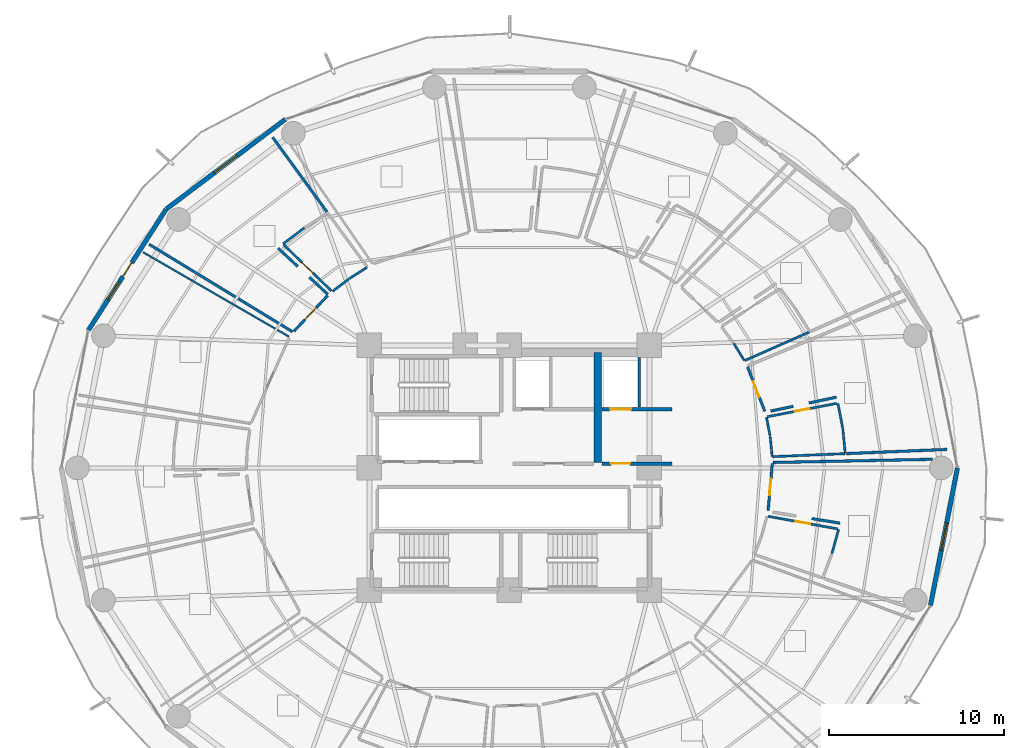
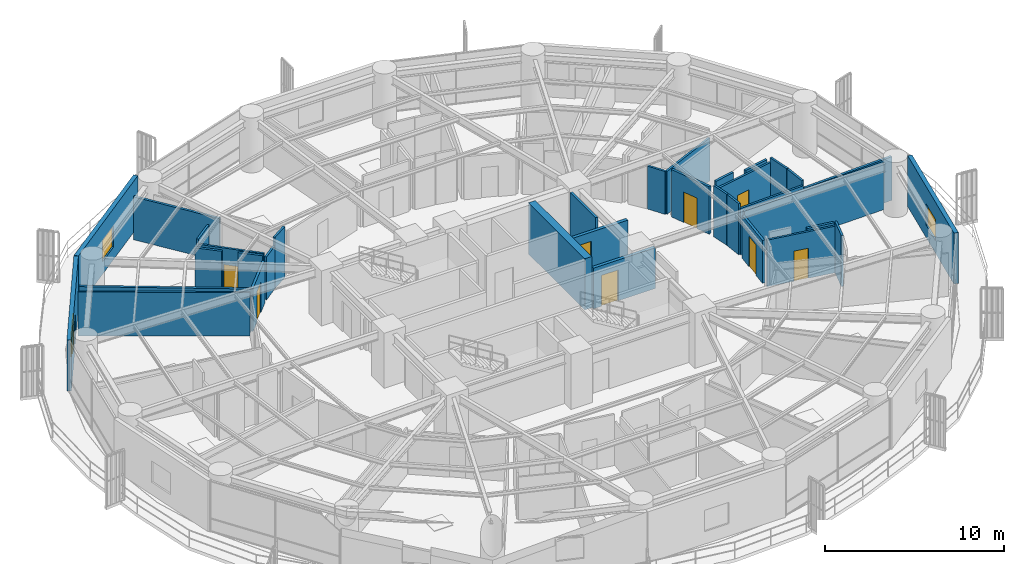
# One storey, part 29 of 35: 34 walls, 9 doors, 3 windows, 12 openings.
"""IFC4 building model written with IfcOpenShell, lengths in metres."""

from ifc_helpers import new_model, si_unit, direction, frame, frame_2d, origin, place, context, subcontext, project, spatial, rectangle, extrude, material, layer, layer_set, type_object, element, fill, save


model = new_model("IFC4")

# Units and contexts
model_context = context("Model", 3, precision=1e-05, world=origin(), true_north=direction((0.0, 1.0)))
body_context = subcontext(model_context, "Body", "Model", "MODEL_VIEW")
ifc_project = project(units=[si_unit("LENGTHUNIT", "METRE"), si_unit("AREAUNIT", "SQUARE_METRE"), si_unit("VOLUMEUNIT", "CUBIC_METRE"), si_unit("PLANEANGLEUNIT", "RADIAN"), si_unit("MASSUNIT", "GRAM", prefix="KILO")], contexts=[model_context])

# Site, building, storey
site_placement = place(None, origin())
site = spatial("IfcSite", under=ifc_project, at=site_placement, CompositionType="ELEMENT")
building_placement = place(site_placement, origin())
building = spatial("IfcBuilding", under=site, at=building_placement, Name="Kelanora Arch Commons", CompositionType="ELEMENT")
storey_placement = place(building_placement, frame((0.0, 0.0, 91.35009765625)))
storey = spatial("IfcBuildingStorey", under=building, at=storey_placement, Name="L23", CompositionType="ELEMENT", Elevation=91.35009765625)

# Wall
ifc_material_1 = material(Name="Autoclaved aerated concrete blockwork with fire plaster", Category="masonry")
ifc_layer_1 = layer(ifc_material_1, 0.14990234375)
ifc_layer_set_1 = layer_set([ifc_layer_1], Name="Autoclaved aerated concrete blockwork with fire plaster")
wall_type_1 = type_object("IfcWallType", Name="W-COMP-150", PredefinedType="PARTITIONING", material=ifc_layer_set_1)
wall_1_placement = place(storey_placement, frame((81.419921875, 61.47998046875, 0.0), z_axis=(0.0, 0.0, 1.0), x_axis=(0.0, 1.0, 0.0)))
element("IfcWall", 1, at=wall_1_placement, inside=storey, type_object=wall_type_1, Name="Firefighting Lift 2 East Shaft Wall L23", PredefinedType="PARTITIONING", context=body_context, shape_type="SweptSolid", body=[
    extrude(rectangle(XDim=2.840087890625, YDim=0.14990234375, at=frame_2d((1.419921875, 0.0))), origin(), (0.0, 0.0, 1.0), 3.47998046875),
])

# Wall, opening, door
wall_2_placement = place(storey_placement, frame((63.61376953125, 67.844482421875, 0.0), z_axis=(0.0, 0.0, 1.0), x_axis=(-0.68683784084, -0.726810690889, 0.0)))
wall_2 = element("IfcWall", 2, at=wall_2_placement, inside=storey, type_object=wall_type_1, Name="Co-Living Studio L23-05 Entry Partition", PredefinedType="PARTITIONING", context=body_context, shape_type="SweptSolid", body=[
    extrude(rectangle(XDim=2.8095703125, YDim=0.14990234375, at=frame_2d((1.40478515625, 0.0))), origin(), (0.0, 0.0, 1.0), 2.9248046875),
])
opening_1_placement = place(wall_2_placement, frame((0.929931640625, 0.0, 0.0)))
opening_1 = element("IfcOpeningElement", 3, at=opening_1_placement, cuts=wall_2, Name="Opening D-CLU1", PredefinedType="OPENING", context=body_context, shape_type="SweptSolid", body=[
    extrude(rectangle(XDim=0.949951171875, YDim=2.080078125, at=frame_2d((0.47509765625, 1.0400390625))), frame((0.0, 0.0849609375, 0.0), z_axis=(0.0, -1.0, 0.0), x_axis=(1.0, 0.0, 0.0)), (0.0, 0.0, 1.0), 0.169921875),
])
ifc_material_2 = material(Name="Solid-core acoustic timber cluster entry fire door", Category="wood")
door_type_1 = type_object("IfcDoorType", Name="D-CLU-95", OperationType="NOTDEFINED", PredefinedType="DOOR", material=ifc_material_2)
door_1_placement = place(opening_1_placement, origin())
door_1 = element("IfcDoor", 4, at=door_1_placement, inside=storey, type_object=door_type_1, Name="Co-Living Studio L23-05 Door", OperationType="SINGLE_SWING_RIGHT", OverallHeight=2.080078125, OverallWidth=0.949951171875, PredefinedType="DOOR", context=body_context, shape_type="SweptSolid", body=[
    extrude(rectangle(XDim=0.949951171875, YDim=2.080078125, at=frame_2d((0.47509765625, 1.0400390625))), frame((0.0, 0.02490234375, 0.0), z_axis=(0.0, -1.0, 0.0), x_axis=(1.0, 0.0, 0.0)), (0.0, 0.0, 1.0), 0.050048828125),
])
fill(opening_1, door_1)

wall_3_placement = place(storey_placement, frame((88.783203125, 55.57470703125, 0.0), z_axis=(0.0, 0.0, 1.0), x_axis=(0.088469625327, 0.996078875087, 0.0)))
wall_3 = element("IfcWall", 5, at=wall_3_placement, inside=storey, type_object=wall_type_1, Name="Co-Living Studio L23-14 Entry Partition", PredefinedType="PARTITIONING", context=body_context, shape_type="SweptSolid", body=[
    extrude(rectangle(XDim=2.68505859375, YDim=0.14990234375, at=frame_2d((1.342529296875, 0.0))), origin(), (0.0, 0.0, 1.0), 2.9248046875),
])
opening_2_placement = place(wall_3_placement, frame((0.866943359375, 0.0, 0.0)))
opening_2 = element("IfcOpeningElement", 6, at=opening_2_placement, cuts=wall_3, Name="Opening D-CLU1", PredefinedType="OPENING", context=body_context, shape_type="SweptSolid", body=[
    extrude(rectangle(XDim=0.949951171875, YDim=2.080078125, at=frame_2d((0.47509765625, 1.0400390625))), frame((0.0, 0.0849609375, 0.0), z_axis=(0.0, -1.0, 0.0), x_axis=(1.0, 0.0, 0.0)), (0.0, 0.0, 1.0), 0.169921875),
])
door_2_placement = place(opening_2_placement, origin())
door_2 = element("IfcDoor", 7, at=door_2_placement, inside=storey, type_object=door_type_1, Name="Co-Living Studio L23-14 Door", OperationType="SINGLE_SWING_LEFT", OverallHeight=2.080078125, OverallWidth=0.949951171875, PredefinedType="DOOR", context=body_context, shape_type="SweptSolid", body=[
    extrude(rectangle(XDim=0.949951171875, YDim=2.080078125, at=frame_2d((0.47509765625, 1.0400390625))), frame((0.0, 0.02490234375, 0.0), z_axis=(0.0, -1.0, 0.0), x_axis=(1.0, 0.0, 0.0)), (0.0, 0.0, 1.0), 0.050048828125),
])
fill(opening_2, door_2)

wall_4_placement = place(storey_placement, frame((88.59326171875, 61.23583984375, 0.0), z_axis=(0.0, 0.0, 1.0), x_axis=(-0.361969309841, 0.93219001214, 0.0)))
wall_4 = element("IfcWall", 8, at=wall_4_placement, inside=storey, type_object=wall_type_1, Name="Co-Living Studio L23-15 Entry Partition", PredefinedType="PARTITIONING", context=body_context, shape_type="SweptSolid", body=[
    extrude(rectangle(XDim=2.717529296875, YDim=0.14990234375, at=frame_2d((1.35888671875, 0.0))), origin(), (0.0, 0.0, 1.0), 3.23486328125),
])
opening_3_placement = place(wall_4_placement, frame((0.884033203125, 0.0, 0.0)))
opening_3 = element("IfcOpeningElement", 9, at=opening_3_placement, cuts=wall_4, Name="Opening D-CLU1", PredefinedType="OPENING", context=body_context, shape_type="SweptSolid", body=[
    extrude(rectangle(XDim=0.949951171875, YDim=2.080078125, at=frame_2d((0.47509765625, 1.0400390625))), frame((0.0, 0.0849609375, 0.0), z_axis=(0.0, -1.0, 0.0), x_axis=(1.0, 0.0, 0.0)), (0.0, 0.0, 1.0), 0.169921875),
])
door_3_placement = place(opening_3_placement, origin())
door_3 = element("IfcDoor", 10, at=door_3_placement, inside=storey, type_object=door_type_1, Name="Co-Living Studio L23-15 Door", OperationType="SINGLE_SWING_LEFT", OverallHeight=2.080078125, OverallWidth=0.949951171875, PredefinedType="DOOR", context=body_context, shape_type="SweptSolid", body=[
    extrude(rectangle(XDim=0.949951171875, YDim=2.080078125, at=frame_2d((0.47509765625, 1.0400390625))), frame((0.0, 0.02490234375, 0.0), z_axis=(0.0, -1.0, 0.0), x_axis=(1.0, 0.0, 0.0)), (0.0, 0.0, 1.0), 0.050048828125),
])
fill(opening_3, door_3)

# Walls
wall_5_placement = place(storey_placement, frame((61.60888671875, 65.77978515625, 0.0), z_axis=(0.0, 0.0, 1.0), x_axis=(-0.853785143599, 0.520625516634, 0.0)))
element("IfcWall", 11, at=wall_5_placement, inside=storey, type_object=wall_type_1, Name="Co-Living Studio L23-05 Enclosure Partition 2", PredefinedType="PARTITIONING", context=body_context, shape_type="SweptSolid", body=[
    extrude(rectangle(XDim=9.5966796875, YDim=0.14990234375, at=frame_2d((4.79833984375, 0.0))), origin(), (0.0, 0.0, 1.0), 2.974853515625),
])
wall_6_placement = place(storey_placement, frame((60.474609375, 76.884765625, 0.0), z_axis=(0.0, 0.0, 1.0), x_axis=(0.589128007392, -0.808039721119, 0.0)))
element("IfcWall", 12, at=wall_6_placement, inside=storey, type_object=wall_type_1, Name="Co-Living Studio L23-05 Enclosure Partition 5", PredefinedType="PARTITIONING", context=body_context, shape_type="SweptSolid", body=[
    extrude(rectangle(XDim=5.26513671875, YDim=0.14990234375, at=frame_2d((2.632568359375, 0.0))), origin(), (0.0, 0.0, 1.0), 2.9248046875),
])
wall_7_placement = place(storey_placement, frame((60.779296875, 70.556884765625, 0.0), z_axis=(0.0, 0.0, 1.0), x_axis=(0.732929378099, -0.680304730778, 0.0)))
element("IfcWall", 13, at=wall_7_placement, inside=storey, type_object=wall_type_1, Name="Co-Living Studio L23-05 Enclosure Partition 7", PredefinedType="PARTITIONING", context=body_context, shape_type="SweptSolid", body=[
    extrude(rectangle(XDim=1.53564453125, YDim=0.14990234375, at=frame_2d((0.767822265625, 0.0))), origin(), (0.0, 0.0, 1.0), 3.1748046875),
])
wall_8_placement = place(storey_placement, frame((62.579345703125, 68.88623046875, 0.0), z_axis=(0.0, 0.0, 1.0), x_axis=(0.733037104662, -0.680188652646, 0.0)))
element("IfcWall", 14, at=wall_8_placement, inside=storey, type_object=wall_type_1, Name="Co-Living Studio L23-05 Enclosure Partition 7", PredefinedType="PARTITIONING", context=body_context, shape_type="SweptSolid", body=[
    extrude(rectangle(XDim=1.427490234375, YDim=0.14990234375, at=frame_2d((0.7138671875, 0.0))), origin(), (0.0, 0.0, 1.0), 3.23486328125),
])
wall_9_placement = place(storey_placement, frame((89.06591796875, 58.309814453125, 0.0), z_axis=(0.0, 0.0, 1.0), x_axis=(0.999799952906, 0.020001354173, 0.0)))
element("IfcWall", 15, at=wall_9_placement, inside=storey, type_object=wall_type_1, Name="Co-Living Studio L23-14 Enclosure Partition 2", PredefinedType="PARTITIONING", context=body_context, shape_type="SweptSolid", body=[
    extrude(rectangle(XDim=9.117919921875, YDim=0.14990234375, at=frame_2d((4.55908203125, 0.0))), origin(), (0.0, 0.0, 1.0), 3.1748046875),
])
wall_10_placement = place(storey_placement, frame((92.888427734375, 54.843505859375, 0.0), z_axis=(0.0, 0.0, 1.0), x_axis=(-0.986922201966, 0.161197292988, 0.0)))
element("IfcWall", 16, at=wall_10_placement, inside=storey, type_object=wall_type_1, Name="Co-Living Studio L23-14 Enclosure Partition 7", PredefinedType="PARTITIONING", context=body_context, shape_type="SweptSolid", body=[
    extrude(rectangle(XDim=1.632568359375, YDim=0.14990234375, at=frame_2d((0.81640625, 0.0))), origin(), (0.0, 0.0, 1.0), 3.1748046875),
])
wall_11_placement = place(storey_placement, frame((99.011962890625, 59.057373046875, 0.0), z_axis=(0.0, 0.0, 1.0), x_axis=(-0.999136530054, -0.041547494638, 0.0)))
element("IfcWall", 17, at=wall_11_placement, inside=storey, type_object=wall_type_1, Name="Co-Living Studio L23-15 Enclosure Partition 5", PredefinedType="PARTITIONING", context=body_context, shape_type="SweptSolid", body=[
    extrude(rectangle(XDim=5.746826171875, YDim=0.14990234375, at=frame_2d((2.87353515625, 0.0))), origin(), (0.0, 0.0, 1.0), 2.974853515625),
])
wall_12_placement = place(storey_placement, frame((92.680908203125, 62.039794921875, 0.0), z_axis=(0.0, 0.0, 1.0), x_axis=(-0.978359809994, -0.206910807327, 0.0)))
element("IfcWall", 18, at=wall_12_placement, inside=storey, type_object=wall_type_1, Name="Co-Living Studio L23-15 Enclosure Partition 7", PredefinedType="PARTITIONING", context=body_context, shape_type="SweptSolid", body=[
    extrude(rectangle(XDim=1.598876953125, YDim=0.14990234375, at=frame_2d((0.79931640625, 0.0))), origin(), (0.0, 0.0, 1.0), 3.1748046875),
])
wall_13_placement = place(storey_placement, frame((90.21630859375, 61.5185546875, 0.0), z_axis=(0.0, 0.0, 1.0), x_axis=(-0.978356212177, -0.206927818562, 0.0)))
element("IfcWall", 19, at=wall_13_placement, inside=storey, type_object=wall_type_1, Name="Co-Living Studio L23-15 Enclosure Partition 7", PredefinedType="PARTITIONING", context=body_context, shape_type="SweptSolid", body=[
    extrude(rectangle(XDim=1.314453125, YDim=0.14990234375, at=frame_2d((0.6572265625, 0.0))), origin(), (0.0, 0.0, 1.0), 3.47998046875),
])
ifc_material_3 = material(Name="Concrete C60/75", Category="concrete")
ifc_layer_2 = layer(ifc_material_3, 0.449951171875)
ifc_layer_set_2 = layer_set([ifc_layer_2], Name="Concrete C60/75")
wall_type_2 = type_object("IfcWallType", Name="W-CORE-450", PredefinedType="SHEAR", material=ifc_layer_set_2)
wall_14_placement = place(storey_placement, frame((79.050048828125, 58.300048828125, 0.0), z_axis=(0.0, 0.0, 1.0), x_axis=(0.0, 1.0, 0.0)))
element("IfcWall", 20, at=wall_14_placement, inside=storey, type_object=wall_type_2, Name="Core Shear Spine L23-CE-N", PredefinedType="SHEAR", context=body_context, shape_type="SweptSolid", body=[
    extrude(rectangle(XDim=6.300048828125, YDim=0.449951171875, at=frame_2d((3.14990234375, 0.0))), origin(), (0.0, 0.0, 1.0), 3.489990234375),
])

# Wall, opening, window
ifc_material_4 = material(Name="Precast concrete C40/50 with terracotta rainscreen", Category="masonry")
ifc_layer_3 = layer(ifc_material_4, 0.260009765625)
ifc_layer_set_3 = layer_set([ifc_layer_3], Name="Precast concrete C40/50 with terracotta rainscreen")
wall_type_3 = type_object("IfcWallType", Name="W-EXT-TC", PredefinedType="SOLIDWALL", material=ifc_layer_set_3)
wall_15_placement = place(storey_placement, frame((61.18798828125, 77.90966796875, 0.0), z_axis=(0.0, 0.0, 1.0), x_axis=(-0.798501507879, -0.601992808857, 0.0)))
wall_15 = element("IfcWall", 21, at=wall_15_placement, inside=storey, type_object=wall_type_3, Name="Terracotta Exterior Wall L23-B06", PredefinedType="SOLIDWALL", context=body_context, shape_type="SweptSolid", body=[
    extrude(rectangle(XDim=8.499267578125, YDim=0.260009765625, at=frame_2d((4.24951171875, 0.0))), origin(), (0.0, 0.0, 1.0), 3.474853515625),
])
opening_4_placement = place(wall_15_placement, frame((3.449951171875, 0.0, 0.85009765625)))
opening_4 = element("IfcOpeningElement", 22, at=opening_4_placement, cuts=wall_15, Name="Opening WN-01", PredefinedType="OPENING", context=body_context, shape_type="SweptSolid", body=[
    extrude(rectangle(XDim=1.60009765625, YDim=1.449951171875, at=frame_2d((0.800048828125, 0.72509765625))), frame((0.0, 0.14013671875, 0.0), z_axis=(0.0, -1.0, 0.0), x_axis=(1.0, 0.0, 0.0)), (0.0, 0.0, 1.0), 0.280029296875),
])
ifc_material_5 = material(Name="Terracotta-anodised aluminium frame with operable low-E glazing", Category="masonry")
window_type_1 = type_object("IfcWindowType", Name="WIN-CL-18", PartitioningType="DOUBLE_PANEL_VERTICAL", PredefinedType="WINDOW", material=ifc_material_5)
window_1_placement = place(opening_4_placement, origin())
window_1 = element("IfcWindow", 23, at=window_1_placement, inside=storey, type_object=window_type_1, Name="Co-Living Operable Window L23-B06", OverallHeight=1.449951171875, OverallWidth=1.60009765625, PartitioningType="SINGLE_PANEL", PredefinedType="WINDOW", context=body_context, shape_type="SweptSolid", body=[
    extrude(rectangle(XDim=1.60009765625, YDim=1.449951171875, at=frame_2d((0.800048828125, 0.72509765625))), frame((0.0, 0.030029296875, 0.0), z_axis=(0.0, -1.0, 0.0), x_axis=(1.0, 0.0, 0.0)), (0.0, 0.0, 1.0), 0.06005859375),
])
fill(opening_4, window_1)

# Wall, openings, door, window
wall_16_placement = place(storey_placement, frame((54.381103515625, 72.771484375, 0.0), z_axis=(0.0, 0.0, 1.0), x_axis=(-0.540620528459, -0.841266571432, 0.0)))
wall_16 = element("IfcWall", 24, at=wall_16_placement, inside=storey, type_object=wall_type_3, Name="Terracotta Exterior Wall L23-B07", PredefinedType="SOLIDWALL", context=body_context, shape_type="SweptSolid", body=[
    extrude(rectangle(XDim=8.19287109375, YDim=0.260009765625, at=frame_2d((4.096435546875, 0.0))), origin(), (0.0, 0.0, 1.0), 3.474853515625),
])
opening_5_placement = place(wall_16_placement, frame((3.62109375, 0.0, 0.0)))
opening_5 = element("IfcOpeningElement", 25, at=opening_5_placement, cuts=wall_16, Name="Opening DB-01", PredefinedType="OPENING", context=body_context, shape_type="SweptSolid", body=[
    extrude(rectangle(XDim=0.949951171875, YDim=2.10009765625, at=frame_2d((0.47509765625, 1.050048828125))), frame((0.0, 0.14013671875, 0.0), z_axis=(0.0, -1.0, 0.0), x_axis=(1.0, 0.0, 0.0)), (0.0, 0.0, 1.0), 0.280029296875),
])
opening_6_placement = place(wall_16_placement, frame((4.9208984375, 0.0, 0.85009765625)))
opening_6 = element("IfcOpeningElement", 26, at=opening_6_placement, cuts=wall_16, Name="Opening WN-02", PredefinedType="OPENING", context=body_context, shape_type="SweptSolid", body=[
    extrude(rectangle(XDim=1.199951171875, YDim=1.449951171875, at=frame_2d((0.60009765625, 0.72509765625))), frame((0.0, 0.14013671875, 0.0), z_axis=(0.0, -1.0, 0.0), x_axis=(1.0, 0.0, 0.0)), (0.0, 0.0, 1.0), 0.280029296875),
])
ifc_material_6 = material(Name="Terracotta-aluminium thermally broken glazed balcony door", Category="masonry")
door_type_2 = type_object("IfcDoorType", Name="D-BAL-10", OperationType="NOTDEFINED", PredefinedType="DOOR", material=ifc_material_6)
door_4_placement = place(opening_5_placement, frame((0.949951171875, 0.0, 0.0), z_axis=(0.0, 0.0, 1.0), x_axis=(-1.0, 0.0, 0.0)))
door_4 = element("IfcDoor", 27, at=door_4_placement, inside=storey, type_object=door_type_2, Name="Wave Balcony Door L23-B07", OperationType="SINGLE_SWING_LEFT", OverallHeight=2.10009765625, OverallWidth=0.949951171875, PredefinedType="DOOR", context=body_context, shape_type="SweptSolid", body=[
    extrude(rectangle(XDim=0.949951171875, YDim=2.10009765625, at=frame_2d((0.47509765625, 1.050048828125))), frame((0.0, 0.02490234375, 0.0), z_axis=(0.0, -1.0, 0.0), x_axis=(1.0, 0.0, 0.0)), (0.0, 0.0, 1.0), 0.050048828125),
])
fill(opening_5, door_4)
ifc_material_7 = material(Name="Terracotta-anodised aluminium frame with operable awning sash", Category="masonry")
window_type_2 = type_object("IfcWindowType", Name="WIN-CL-12", PartitioningType="SINGLE_PANEL", PredefinedType="WINDOW", material=ifc_material_7)
window_2_placement = place(opening_6_placement, origin())
window_2 = element("IfcWindow", 28, at=window_2_placement, inside=storey, type_object=window_type_2, Name="Co-Living Operable Window L23-B07", OverallHeight=1.449951171875, OverallWidth=1.199951171875, PartitioningType="SINGLE_PANEL", PredefinedType="WINDOW", context=body_context, shape_type="SweptSolid", body=[
    extrude(rectangle(XDim=1.199951171875, YDim=1.449951171875, at=frame_2d((0.60009765625, 0.72509765625))), frame((0.0, 0.030029296875, 0.0), z_axis=(0.0, -1.0, 0.0), x_axis=(1.0, 0.0, 0.0)), (0.0, 0.0, 1.0), 0.06005859375),
])
fill(opening_6, window_2)

# Wall, opening, window
wall_17_placement = place(storey_placement, frame((98.05908203125, 50.148193359375, 0.0), z_axis=(0.0, 0.0, 1.0), x_axis=(0.192581843632, 0.981280914674, 0.0)))
wall_17 = element("IfcWall", 29, at=wall_17_placement, inside=storey, type_object=wall_type_3, Name="Terracotta Exterior Wall L23-B17", PredefinedType="SOLIDWALL", context=body_context, shape_type="SweptSolid", body=[
    extrude(rectangle(XDim=7.986572265625, YDim=0.260009765625, at=frame_2d((3.9931640625, 0.0))), origin(), (0.0, 0.0, 1.0), 3.474853515625),
])
opening_7_placement = place(wall_17_placement, frame((3.193115234375, 0.0, 0.85009765625)))
opening_7 = element("IfcOpeningElement", 30, at=opening_7_placement, cuts=wall_17, Name="Opening WN-01", PredefinedType="OPENING", context=body_context, shape_type="SweptSolid", body=[
    extrude(rectangle(XDim=1.60009765625, YDim=1.449951171875, at=frame_2d((0.800048828125, 0.72509765625))), frame((0.0, 0.14013671875, 0.0), z_axis=(0.0, -1.0, 0.0), x_axis=(1.0, 0.0, 0.0)), (0.0, 0.0, 1.0), 0.280029296875),
])
window_3_placement = place(opening_7_placement, origin())
window_3 = element("IfcWindow", 31, at=window_3_placement, inside=storey, type_object=window_type_1, Name="Co-Living Operable Window L23-B17", OverallHeight=1.449951171875, OverallWidth=1.60009765625, PartitioningType="SINGLE_PANEL", PredefinedType="WINDOW", context=body_context, shape_type="SweptSolid", body=[
    extrude(rectangle(XDim=1.60009765625, YDim=1.449951171875, at=frame_2d((0.800048828125, 0.72509765625))), frame((0.0, 0.030029296875, 0.0), z_axis=(0.0, -1.0, 0.0), x_axis=(1.0, 0.0, 0.0)), (0.0, 0.0, 1.0), 0.06005859375),
])
fill(opening_7, window_3)

# Wall, opening, door
ifc_material_8 = material(Name="Concrete C40/50", Category="concrete")
ifc_layer_4 = layer(ifc_material_8, 0.199951171875)
ifc_layer_set_4 = layer_set([ifc_layer_4], Name="Concrete C40/50")
wall_type_4 = type_object("IfcWallType", Name="W-FFL-200", PredefinedType="SOLIDWALL", material=ifc_layer_set_4)
wall_18_placement = place(storey_placement, frame((79.300048828125, 61.35009765625, 0.0), z_axis=(0.0, 0.0, 1.0), x_axis=(1.0, 0.0, 0.0)))
wall_18 = element("IfcWall", 32, at=wall_18_placement, inside=storey, type_object=wall_type_4, Name="Firefighting Lift 2 Shaft Front L23", PredefinedType="SOLIDWALL", context=body_context, shape_type="SweptSolid", body=[
    extrude(rectangle(XDim=4.0, YDim=0.199951171875, at=frame_2d((2.0, 0.0))), origin(), (0.0, 0.0, 1.0), 2.77490234375),
])
opening_8_placement = place(wall_18_placement, frame((0.449951171875, 0.0, 0.0)))
opening_8 = element("IfcOpeningElement", 33, at=opening_8_placement, cuts=wall_18, Name="Opening LD-FF", PredefinedType="OPENING", context=body_context, shape_type="SweptSolid", body=[
    extrude(rectangle(XDim=1.199951171875, YDim=2.14990234375, at=frame_2d((0.60009765625, 1.074951171875))), frame((0.0, 0.10986328125, 0.0), z_axis=(0.0, -1.0, 0.0), x_axis=(1.0, 0.0, 0.0)), (0.0, 0.0, 1.0), 0.219970703125),
])
ifc_material_9 = material(Name="Fire-rated firefighters lift sliding landing door")
door_type_3 = type_object("IfcDoorType", Name="D-LIFT-FF", OperationType="NOTDEFINED", PredefinedType="DOOR", material=ifc_material_9)
door_5_placement = place(opening_8_placement, origin())
door_5 = element("IfcDoor", 34, at=door_5_placement, inside=storey, type_object=door_type_3, Name="Firefighting Lift LF-FF2 Landing Door L23", OperationType="DOUBLE_DOOR_SLIDING", OverallHeight=2.14990234375, OverallWidth=1.199951171875, PredefinedType="DOOR", context=body_context, shape_type="SweptSolid", body=[
    extrude(rectangle(XDim=1.199951171875, YDim=2.14990234375, at=frame_2d((0.60009765625, 1.074951171875))), frame((0.0, 0.02490234375, 0.0), z_axis=(0.0, -1.0, 0.0), x_axis=(1.0, 0.0, 0.0)), (0.0, 0.0, 1.0), 0.050048828125),
])
fill(opening_8, door_5)

wall_19_placement = place(storey_placement, frame((79.300048828125, 58.25, 0.0), z_axis=(0.0, 0.0, 1.0), x_axis=(1.0, 0.0, 0.0)))
wall_19 = element("IfcWall", 35, at=wall_19_placement, inside=storey, type_object=wall_type_4, Name="Firefighting Lobby 2 Enclosure Wall L23", PredefinedType="SOLIDWALL", context=body_context, shape_type="SweptSolid", body=[
    extrude(rectangle(XDim=4.0, YDim=0.199951171875, at=frame_2d((2.0, 0.0))), origin(), (0.0, 0.0, 1.0), 2.77490234375),
])
opening_9_placement = place(wall_19_placement, frame((0.5, 0.0, 0.0)))
opening_9 = element("IfcOpeningElement", 36, at=opening_9_placement, cuts=wall_19, Name="Opening D-FFL1", PredefinedType="OPENING", context=body_context, shape_type="SweptSolid", body=[
    extrude(rectangle(XDim=1.10009765625, YDim=2.10009765625, at=frame_2d((0.550048828125, 1.050048828125))), frame((0.0, 0.10986328125, 0.0), z_axis=(0.0, -1.0, 0.0), x_axis=(1.0, 0.0, 0.0)), (0.0, 0.0, 1.0), 0.219970703125),
])
ifc_material_10 = material(Name="Smoke-sealed firefighting lobby fire door")
door_type_4 = type_object("IfcDoorType", Name="D-FFL-110", OperationType="NOTDEFINED", PredefinedType="DOOR", material=ifc_material_10)
door_6_placement = place(opening_9_placement, frame((1.10009765625, 0.0, 0.0), z_axis=(0.0, 0.0, 1.0), x_axis=(-1.0, 0.0, 0.0)))
door_6 = element("IfcDoor", 37, at=door_6_placement, inside=storey, type_object=door_type_4, Name="Firefighting Lobby 2 Door L23", OperationType="SINGLE_SWING_RIGHT", OverallHeight=2.10009765625, OverallWidth=1.10009765625, PredefinedType="DOOR", context=body_context, shape_type="SweptSolid", body=[
    extrude(rectangle(XDim=1.10009765625, YDim=2.10009765625, at=frame_2d((0.550048828125, 1.050048828125))), frame((0.0, 0.02490234375, 0.0), z_axis=(0.0, -1.0, 0.0), x_axis=(1.0, 0.0, 0.0)), (0.0, 0.0, 1.0), 0.050048828125),
])
fill(opening_9, door_6)

# Wall
ifc_material_11 = material(Name="Lightweight fire-rated acoustic stud partition")
ifc_layer_5 = layer(ifc_material_11, 0.10009765625)
ifc_layer_set_5 = layer_set([ifc_layer_5], Name="Lightweight fire-rated acoustic stud partition")
wall_type_5 = type_object("IfcWallType", Name="W-PART-100", PredefinedType="PARTITIONING", material=ifc_layer_set_5)
wall_20_placement = place(storey_placement, frame((53.072509765625, 70.322021484375, 0.0), z_axis=(0.0, 0.0, 1.0), x_axis=(0.865606852524, -0.500724252322, 0.0)))
element("IfcWall", 38, at=wall_20_placement, inside=storey, type_object=wall_type_5, Name="Social Sky Lounge L23-06 Enclosure Partition 4", PredefinedType="PARTITIONING", context=body_context, shape_type="SweptSolid", body=[
    extrude(rectangle(XDim=9.624267578125, YDim=0.10009765625, at=frame_2d((4.81201171875, 0.0))), origin(), (0.0, 0.0, 1.0), 2.974853515625),
])

# Wall, opening, door
ifc_material_12 = material(Name="Moisture-resistant fire-rated cement-board plumbing wall")
ifc_layer_6 = layer(ifc_material_12, 0.1298828125)
ifc_layer_set_6 = layer_set([ifc_layer_6], Name="Moisture-resistant fire-rated cement-board plumbing wall")
wall_type_6 = type_object("IfcWallType", Name="W-WET-120", PredefinedType="PLUMBINGWALL", material=ifc_layer_set_6)
wall_21_placement = place(storey_placement, frame((63.832763671875, 68.11572265625, 0.0), z_axis=(0.0, 0.0, 1.0), x_axis=(-0.719513452588, 0.694478503299, 0.0)))
wall_21 = element("IfcWall", 39, at=wall_21_placement, inside=storey, type_object=wall_type_6, Name="En-Suite Shower WC L23-05 Entry Partition", PredefinedType="PLUMBINGWALL", context=body_context, shape_type="SweptSolid", body=[
    extrude(rectangle(XDim=3.79345703125, YDim=0.1298828125, at=frame_2d((1.896728515625, 0.0))), origin(), (0.0, 0.0, 1.0), 3.1748046875),
])
opening_10_placement = place(wall_21_placement, frame((1.467041015625, 0.0, 0.0)))
opening_10 = element("IfcOpeningElement", 40, at=opening_10_placement, cuts=wall_21, Name="Opening D-BT1", PredefinedType="OPENING", context=body_context, shape_type="SweptSolid", body=[
    extrude(rectangle(XDim=0.860107421875, YDim=2.050048828125, at=frame_2d((0.43017578125, 1.02490234375))), frame((0.0, 0.074951171875, 0.0), z_axis=(0.0, -1.0, 0.0), x_axis=(1.0, 0.0, 0.0)), (0.0, 0.0, 1.0), 0.14990234375),
])
ifc_material_13 = material(Name="Moisture-sealed fire-rated accessible bathroom door")
door_type_5 = type_object("IfcDoorType", Name="D-BATH-85", OperationType="NOTDEFINED", PredefinedType="DOOR", material=ifc_material_13)
door_7_placement = place(opening_10_placement, origin())
door_7 = element("IfcDoor", 41, at=door_7_placement, inside=storey, type_object=door_type_5, Name="En-Suite Shower WC L23-05 Door", OperationType="SINGLE_SWING_LEFT", OverallHeight=2.050048828125, OverallWidth=0.860107421875, PredefinedType="DOOR", context=body_context, shape_type="SweptSolid", body=[
    extrude(rectangle(XDim=0.860107421875, YDim=2.050048828125, at=frame_2d((0.43017578125, 1.02490234375))), frame((0.0, 0.02490234375, 0.0), z_axis=(0.0, -1.0, 0.0), x_axis=(1.0, 0.0, 0.0)), (0.0, 0.0, 1.0), 0.050048828125),
])
fill(opening_10, door_7)

wall_22_placement = place(storey_placement, frame((88.779052734375, 55.2353515625, 0.0), z_axis=(0.0, 0.0, 1.0), x_axis=(0.983931701878, -0.178545249279, 0.0)))
wall_22 = element("IfcWall", 42, at=wall_22_placement, inside=storey, type_object=wall_type_6, Name="En-Suite Shower WC L23-14 Entry Partition", PredefinedType="PLUMBINGWALL", context=body_context, shape_type="SweptSolid", body=[
    extrude(rectangle(XDim=4.0419921875, YDim=0.1298828125, at=frame_2d((2.02099609375, 0.0))), origin(), (0.0, 0.0, 1.0), 3.1748046875),
])
opening_11_placement = place(wall_22_placement, frame((1.591064453125, 0.0, 0.0)))
opening_11 = element("IfcOpeningElement", 43, at=opening_11_placement, cuts=wall_22, Name="Opening D-BT1", PredefinedType="OPENING", context=body_context, shape_type="SweptSolid", body=[
    extrude(rectangle(XDim=0.860107421875, YDim=2.050048828125, at=frame_2d((0.43017578125, 1.02490234375))), frame((0.0, 0.074951171875, 0.0), z_axis=(0.0, -1.0, 0.0), x_axis=(1.0, 0.0, 0.0)), (0.0, 0.0, 1.0), 0.14990234375),
])
door_8_placement = place(opening_11_placement, origin())
door_8 = element("IfcDoor", 44, at=door_8_placement, inside=storey, type_object=door_type_5, Name="En-Suite Shower WC L23-14 Door", OperationType="SINGLE_SWING_RIGHT", OverallHeight=2.050048828125, OverallWidth=0.860107421875, PredefinedType="DOOR", context=body_context, shape_type="SweptSolid", body=[
    extrude(rectangle(XDim=0.860107421875, YDim=2.050048828125, at=frame_2d((0.43017578125, 1.02490234375))), frame((0.0, 0.02490234375, 0.0), z_axis=(0.0, -1.0, 0.0), x_axis=(1.0, 0.0, 0.0)), (0.0, 0.0, 1.0), 0.050048828125),
])
fill(opening_11, door_8)

wall_23_placement = place(storey_placement, frame((88.741943359375, 60.92529296875, 0.0), z_axis=(0.0, 0.0, 1.0), x_axis=(0.981973232987, 0.189020024595, 0.0)))
wall_23 = element("IfcWall", 45, at=wall_23_placement, inside=storey, type_object=wall_type_6, Name="En-Suite Shower WC L23-15 Entry Partition", PredefinedType="PLUMBINGWALL", context=body_context, shape_type="SweptSolid", body=[
    extrude(rectangle(XDim=4.038818359375, YDim=0.1298828125, at=frame_2d((2.01953125, 0.0))), origin(), (0.0, 0.0, 1.0), 3.1748046875),
])
opening_12_placement = place(wall_23_placement, frame((1.590087890625, 0.0, 0.0)))
opening_12 = element("IfcOpeningElement", 46, at=opening_12_placement, cuts=wall_23, Name="Opening D-BT1", PredefinedType="OPENING", context=body_context, shape_type="SweptSolid", body=[
    extrude(rectangle(XDim=0.860107421875, YDim=2.050048828125, at=frame_2d((0.43017578125, 1.02490234375))), frame((0.0, 0.074951171875, 0.0), z_axis=(0.0, -1.0, 0.0), x_axis=(1.0, 0.0, 0.0)), (0.0, 0.0, 1.0), 0.14990234375),
])
door_9_placement = place(opening_12_placement, origin())
door_9 = element("IfcDoor", 47, at=door_9_placement, inside=storey, type_object=door_type_5, Name="En-Suite Shower WC L23-15 Door", OperationType="SINGLE_SWING_RIGHT", OverallHeight=2.050048828125, OverallWidth=0.860107421875, PredefinedType="DOOR", context=body_context, shape_type="SweptSolid", body=[
    extrude(rectangle(XDim=0.860107421875, YDim=2.050048828125, at=frame_2d((0.43017578125, 1.02490234375))), frame((0.0, 0.02490234375, 0.0), z_axis=(0.0, -1.0, 0.0), x_axis=(1.0, 0.0, 0.0)), (0.0, 0.0, 1.0), 0.050048828125),
])
fill(opening_12, door_9)

# Walls
wall_24_placement = place(storey_placement, frame((87.41650390625, 64.14111328125, 0.0), z_axis=(0.0, 0.0, 1.0), x_axis=(-0.52310141153, 0.852270446077, 0.0)))
element("IfcWall", 48, at=wall_24_placement, inside=storey, type_object=wall_type_6, Name="En-Suite Shower WC L23-01 Enclosure Partition 1", PredefinedType="PLUMBINGWALL", context=body_context, shape_type="SweptSolid", body=[
    extrude(rectangle(XDim=1.135498046875, YDim=0.1298828125, at=frame_2d((0.56787109375, 0.0))), origin(), (0.0, 0.0, 1.0), 2.9248046875),
])
wall_25_placement = place(storey_placement, frame((91.144775390625, 65.767822265625, 0.0), z_axis=(0.0, 0.0, 1.0), x_axis=(-0.914586427441, -0.404390487946, 0.0)))
element("IfcWall", 49, at=wall_25_placement, inside=storey, type_object=wall_type_6, Name="En-Suite Shower WC L23-01 Enclosure Partition 6", PredefinedType="PLUMBINGWALL", context=body_context, shape_type="SweptSolid", body=[
    extrude(rectangle(XDim=4.044921875, YDim=0.1298828125, at=frame_2d((2.0224609375, 0.0))), origin(), (0.0, 0.0, 1.0), 2.9248046875),
])
wall_26_placement = place(storey_placement, frame((65.863037109375, 69.459228515625, 0.0), z_axis=(0.0, 0.0, 1.0), x_axis=(-0.842932135958, -0.538019901276, 0.0)))
element("IfcWall", 50, at=wall_26_placement, inside=storey, type_object=wall_type_6, Name="En-Suite Shower WC L23-05 Enclosure Partition 1", PredefinedType="PLUMBINGWALL", context=body_context, shape_type="SweptSolid", body=[
    extrude(rectangle(XDim=1.1865234375, YDim=0.1298828125, at=frame_2d((0.59326171875, 0.0))), origin(), (0.0, 0.0, 1.0), 3.47998046875),
])
wall_27_placement = place(storey_placement, frame((64.830078125, 68.7978515625, 0.0), z_axis=(0.0, 0.0, 1.0), x_axis=(-0.796729134499, -0.604336567022, 0.0)))
element("IfcWall", 51, at=wall_27_placement, inside=storey, type_object=wall_type_6, Name="En-Suite Shower WC L23-05 Enclosure Partition 2", PredefinedType="PLUMBINGWALL", context=body_context, shape_type="SweptSolid", body=[
    extrude(rectangle(XDim=1.177490234375, YDim=0.1298828125, at=frame_2d((0.5888671875, 0.0))), origin(), (0.0, 0.0, 1.0), 2.9248046875),
])
wall_28_placement = place(storey_placement, frame((61.075927734375, 70.803955078125, 0.0), z_axis=(0.0, 0.0, 1.0), x_axis=(0.798136421733, 0.602476764949, 0.0)))
element("IfcWall", 52, at=wall_28_placement, inside=storey, type_object=wall_type_6, Name="En-Suite Shower WC L23-05 Enclosure Partition 4", PredefinedType="PLUMBINGWALL", context=body_context, shape_type="SweptSolid", body=[
    extrude(rectangle(XDim=1.51220703125, YDim=0.1298828125, at=frame_2d((0.756103515625, 0.0))), origin(), (0.0, 0.0, 1.0), 3.47998046875),
])
wall_29_placement = place(storey_placement, frame((92.8095703125, 54.483642578125, 0.0), z_axis=(0.0, 0.0, 1.0), x_axis=(-0.268041350083, -0.963407408445, 0.0)))
element("IfcWall", 53, at=wall_29_placement, inside=storey, type_object=wall_type_6, Name="En-Suite Shower WC L23-14 Enclosure Partition 4", PredefinedType="PLUMBINGWALL", context=body_context, shape_type="SweptSolid", body=[
    extrude(rectangle(XDim=1.425537109375, YDim=0.1298828125, at=frame_2d((0.712890625, 0.0))), origin(), (0.0, 0.0, 1.0), 3.47998046875),
])
wall_30_placement = place(storey_placement, frame((89.010986328125, 58.661865234375, 0.0), z_axis=(0.0, 0.0, 1.0), x_axis=(-0.097430149617, 0.995242365429, 0.0)))
element("IfcWall", 54, at=wall_30_placement, inside=storey, type_object=wall_type_6, Name="En-Suite Shower WC L23-15 Enclosure Partition 1", PredefinedType="PLUMBINGWALL", context=body_context, shape_type="SweptSolid", body=[
    extrude(rectangle(XDim=1.107666015625, YDim=0.1298828125, at=frame_2d((0.5537109375, 0.0))), origin(), (0.0, 0.0, 1.0), 3.47998046875),
])
wall_31_placement = place(storey_placement, frame((88.897216796875, 59.8037109375, 0.0), z_axis=(0.0, 0.0, 1.0), x_axis=(-0.18947511119, 0.981885523999, 0.0)))
element("IfcWall", 55, at=wall_31_placement, inside=storey, type_object=wall_type_6, Name="En-Suite Shower WC L23-15 Enclosure Partition 2", PredefinedType="PLUMBINGWALL", context=body_context, shape_type="SweptSolid", body=[
    extrude(rectangle(XDim=1.110595703125, YDim=0.1298828125, at=frame_2d((0.55517578125, 0.0))), origin(), (0.0, 0.0, 1.0), 3.47998046875),
])
wall_32_placement = place(storey_placement, frame((92.770751953125, 61.680419921875, 0.0), z_axis=(0.0, 0.0, 1.0), x_axis=(0.191058204905, -0.981578709192, 0.0)))
element("IfcWall", 56, at=wall_32_placement, inside=storey, type_object=wall_type_6, Name="En-Suite Shower WC L23-15 Enclosure Partition 4", PredefinedType="PLUMBINGWALL", context=body_context, shape_type="SweptSolid", body=[
    extrude(rectangle(XDim=1.4208984375, YDim=0.1298828125, at=frame_2d((0.71044921875, 0.0))), origin(), (0.0, 0.0, 1.0), 3.47998046875),
])
wall_33_placement = place(storey_placement, frame((93.048095703125, 60.24609375, 0.0), z_axis=(0.0, 0.0, 1.0), x_axis=(0.098651373381, -0.995122056097, 0.0)))
element("IfcWall", 57, at=wall_33_placement, inside=storey, type_object=wall_type_6, Name="En-Suite Shower WC L23-15 Enclosure Partition 5", PredefinedType="PLUMBINGWALL", context=body_context, shape_type="SweptSolid", body=[
    extrude(rectangle(XDim=1.41796875, YDim=0.1298828125, at=frame_2d((0.708984375, 0.0))), origin(), (0.0, 0.0, 1.0), 3.47998046875),
])
wall_34_placement = place(storey_placement, frame((93.169921875, 58.814208984375, 0.0), z_axis=(0.0, 0.0, 1.0), x_axis=(-0.999142957242, -0.041392644201, 0.0)))
element("IfcWall", 58, at=wall_34_placement, inside=storey, type_object=wall_type_6, Name="En-Suite Shower WC L23-15 Enclosure Partition 6", PredefinedType="PLUMBINGWALL", context=body_context, shape_type="SweptSolid", body=[
    extrude(rectangle(XDim=4.140625, YDim=0.1298828125, at=frame_2d((2.0703125, 0.0))), origin(), (0.0, 0.0, 1.0), 3.1748046875),
])

save(model, "model.ifc")
